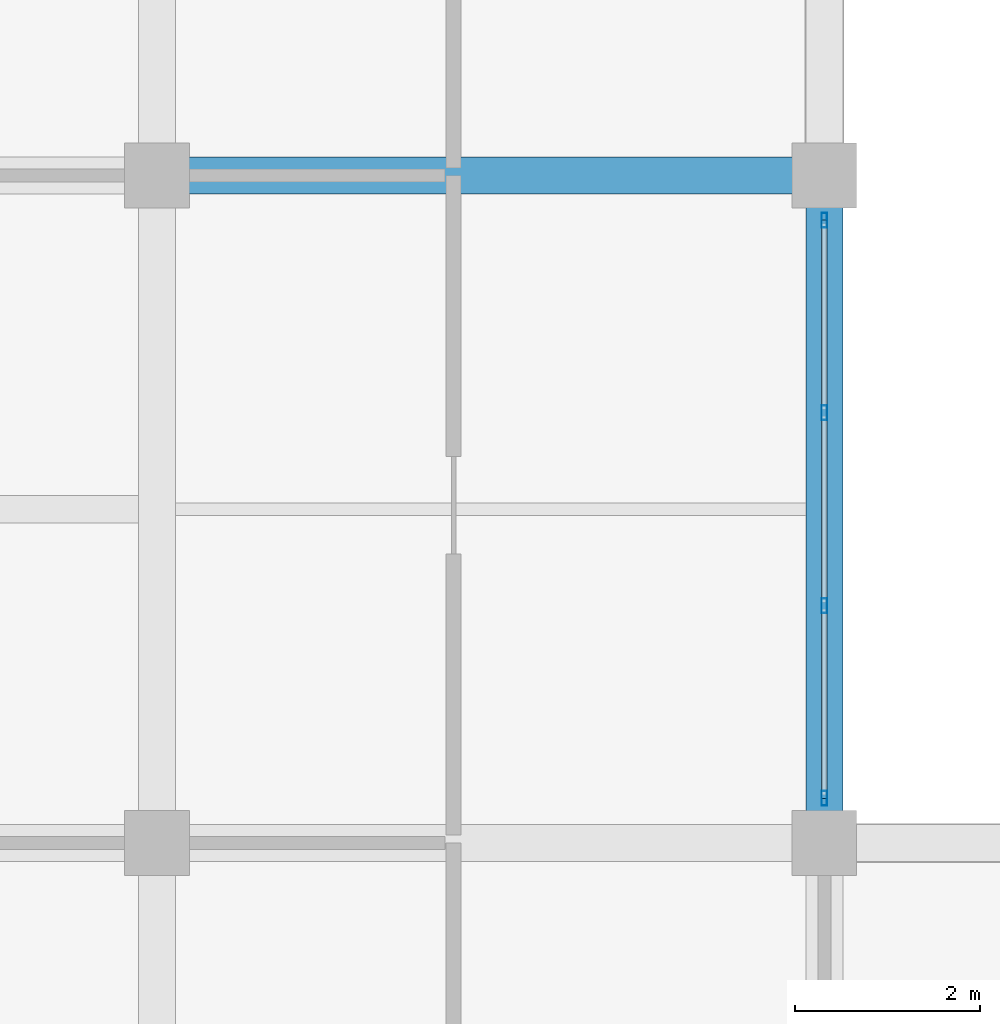
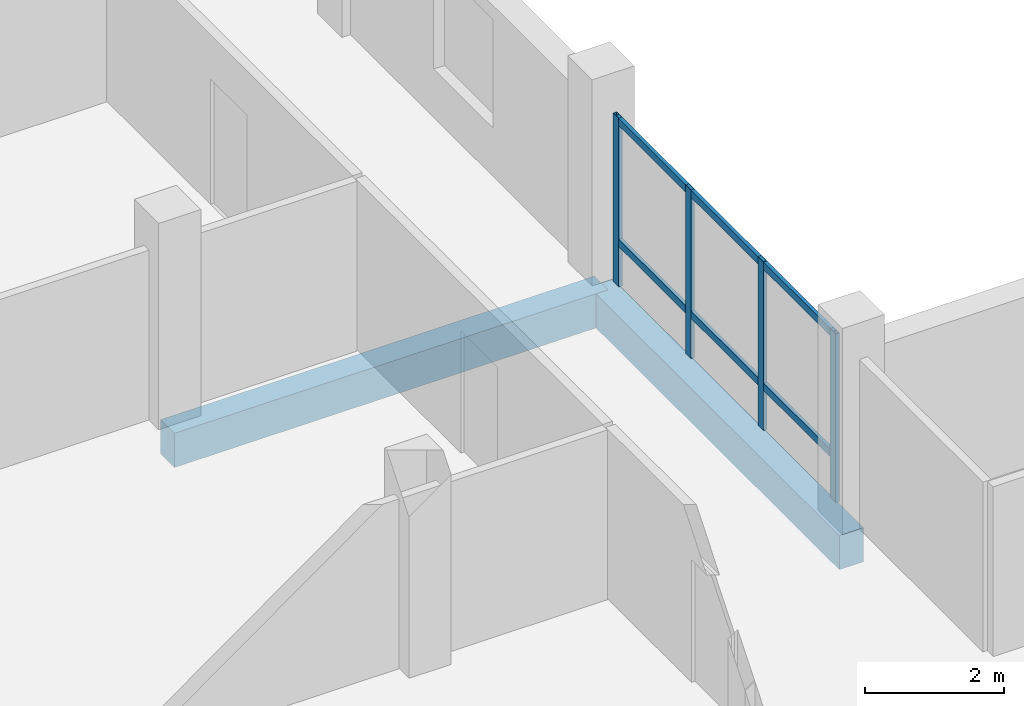
# One storey, part 11 of 128: 6 members, 2 beams, 1 element without a shape of its own.
"""IFC4 building model written with IfcOpenShell, lengths in metres."""

from ifc_helpers import new_model, si_unit, direction, frame, origin, origin_2d, place, context, subcontext, project, spatial, rectangle, hollow_rectangle, extrude, material, material_profile, profile_set, type_object, element, aggregate, save


model = new_model("IFC4")

# Units and contexts
model_context = context("Model", 3, precision=1e-05, world=origin(), true_north=direction((0.0, 1.0)))
body_context = subcontext(model_context, "Body", "Model", "MODEL_VIEW")
ifc_project = project(units=[si_unit("LENGTHUNIT", "METRE"), si_unit("AREAUNIT", "SQUARE_METRE"), si_unit("VOLUMEUNIT", "CUBIC_METRE"), si_unit("PLANEANGLEUNIT", "RADIAN"), si_unit("MASSUNIT", "GRAM", prefix="KILO")], contexts=[model_context])

# Site, building, storey
site_placement = place(None, origin())
site = spatial("IfcSite", under=ifc_project, at=site_placement, CompositionType="ELEMENT")
building_placement = place(site_placement, origin())
building = spatial("IfcBuilding", under=site, at=building_placement, Name="Zornivar Specialist Clinic", CompositionType="ELEMENT")
storey_placement = place(building_placement, frame((0.0, 0.0, 4.5)))
storey = spatial("IfcBuildingStorey", under=building, at=storey_placement, Name="L01", CompositionType="ELEMENT", Elevation=4.5)

# Beams
ifc_material_1 = material(Name="Concrete C30/37", Category="concrete")
ifc_material_profile_1 = material_profile(ifc_material_1, rectangle(XDim=0.39990234375, YDim=0.60009765625, at=origin_2d()), Name="RC 400x600")
ifc_profile_set_1 = profile_set([ifc_material_profile_1], Name="Concrete C30/37")
beam_type = type_object("IfcBeamType", Name="BM-RC-400x600", PredefinedType="BEAM", material=ifc_profile_set_1)
beam_1_placement = place(storey_placement, frame((7.199951171875, 21.60009765625, -0.580078125), z_axis=(1.0, 0.0, 0.0), x_axis=(0.0, 1.0, 0.0)))
element("IfcBeam", 1, at=beam_1_placement, inside=storey, type_object=beam_type, Name="bm:V2:L01:x:216:1", PredefinedType="BEAM", context=body_context, shape_type="SweptSolid", body=[
    extrude(rectangle(XDim=0.39990234375, YDim=0.60009765625, at=origin_2d()), origin(), (0.0, 0.0, 1.0), 7.199951171875),
])
beam_2_placement = place(storey_placement, frame((14.39990234375, 14.39990234375, -0.580078125), z_axis=(0.0, 1.0, 0.0), x_axis=(-1.0, 0.0, 0.0)))
element("IfcBeam", 2, at=beam_2_placement, inside=storey, type_object=beam_type, Name="bm:V2:L01:y:144:2", PredefinedType="BEAM", context=body_context, shape_type="SweptSolid", body=[
    extrude(rectangle(XDim=0.39990234375, YDim=0.60009765625, at=origin_2d()), origin(), (0.0, 0.0, 1.0), 7.2001953125),
])

# Curtain wall, members
ifc_material_2 = material(Name="Aluminium and Low-E Glass Curtain Wall", Category="aluminium")
curtain_wall_type = type_object("IfcCurtainWallType", Name="CW-REVAK-COURT", PredefinedType="NOTDEFINED", material=ifc_material_2)
curtain_wall_placement = place(storey_placement, origin())
curtain_wall = element("IfcCurtainWall", 3, at=curtain_wall_placement, inside=storey, type_object=curtain_wall_type, Name="cw:V2:L01:14", PredefinedType="NOTDEFINED")
ifc_material_3 = material(Name="Aluminium AW-6060", Category="aluminium")
ifc_material_profile_2 = material_profile(ifc_material_3, hollow_rectangle(XDim=0.06005859375, YDim=0.159912109375, WallThickness=0.00390625, at=origin_2d()), Name="ALU 60x160x4")
ifc_profile_set_2 = profile_set([ifc_material_profile_2], Name="Aluminium AW-6060")
member_type_1 = type_object("IfcMemberType", Name="CWM-MUL-160", PredefinedType="MULLION", material=ifc_profile_set_2)
member_1_placement = place(storey_placement, frame((14.39990234375, 14.8798828125, 0.0), z_axis=(0.0, 0.0, 1.0), x_axis=(1.0, 0.0, 0.0)))
member_1 = element("IfcMember", 4, at=member_1_placement, type_object=member_type_1, Name="cw:V2:L01:14:mul:0", PredefinedType="MULLION", context=body_context, shape_type="SweptSolid", body=[
    extrude(hollow_rectangle(XDim=0.06005859375, YDim=0.159912109375, WallThickness=0.00390625, at=origin_2d()), origin(), (0.0, 0.0, 1.0), 2.9599609375),
])
member_2_placement = place(storey_placement, frame((14.39990234375, 16.9599609375, 0.0), z_axis=(0.0, 0.0, 1.0), x_axis=(1.0, 0.0, 0.0)))
member_2 = element("IfcMember", 5, at=member_2_placement, type_object=member_type_1, Name="cw:V2:L01:14:mul:1", PredefinedType="MULLION", context=body_context, shape_type="SweptSolid", body=[
    extrude(hollow_rectangle(XDim=0.06005859375, YDim=0.159912109375, WallThickness=0.00390625, at=origin_2d()), origin(), (0.0, 0.0, 1.0), 2.9599609375),
])
member_3_placement = place(storey_placement, frame((14.39990234375, 19.0400390625, 0.0), z_axis=(0.0, 0.0, 1.0), x_axis=(1.0, 0.0, 0.0)))
member_3 = element("IfcMember", 6, at=member_3_placement, type_object=member_type_1, Name="cw:V2:L01:14:mul:2", PredefinedType="MULLION", context=body_context, shape_type="SweptSolid", body=[
    extrude(hollow_rectangle(XDim=0.06005859375, YDim=0.159912109375, WallThickness=0.00390625, at=origin_2d()), origin(), (0.0, 0.0, 1.0), 2.9599609375),
])
member_4_placement = place(storey_placement, frame((14.39990234375, 21.1201171875, 0.0), z_axis=(0.0, 0.0, 1.0), x_axis=(1.0, 0.0, 0.0)))
member_4 = element("IfcMember", 7, at=member_4_placement, type_object=member_type_1, Name="cw:V2:L01:14:mul:3", PredefinedType="MULLION", context=body_context, shape_type="SweptSolid", body=[
    extrude(hollow_rectangle(XDim=0.06005859375, YDim=0.159912109375, WallThickness=0.00390625, at=origin_2d()), origin(), (0.0, 0.0, 1.0), 2.9599609375),
])
ifc_material_4 = material(Name="Aluminium AW-6060", Category="aluminium")
ifc_material_profile_3 = material_profile(ifc_material_4, hollow_rectangle(XDim=0.06005859375, YDim=0.1298828125, WallThickness=0.00390625, at=origin_2d()), Name="ALU 60x130x4")
ifc_profile_set_3 = profile_set([ifc_material_profile_3], Name="Aluminium AW-6060")
member_type_2 = type_object("IfcMemberType", Name="CWM-TRN-130", PredefinedType="USERDEFINED", material=ifc_profile_set_3)
member_5_placement = place(storey_placement, frame((14.39990234375, 14.8798828125, 0.77001953125), z_axis=(0.0, 1.0, 0.0), x_axis=(-1.0, 0.0, 0.0)))
member_5 = element("IfcMember", 8, at=member_5_placement, type_object=member_type_2, Name="cw:V2:L01:14:trn:0", ObjectType="TRANSOM", PredefinedType="USERDEFINED", context=body_context, shape_type="SweptSolid", body=[
    extrude(hollow_rectangle(XDim=0.06005859375, YDim=0.1298828125, WallThickness=0.00390625, at=origin_2d()), origin(), (0.0, 0.0, 1.0), 6.240234375),
])
member_6_placement = place(storey_placement, frame((14.39990234375, 14.8798828125, 2.89501953125), z_axis=(0.0, 1.0, 0.0), x_axis=(-1.0, 0.0, 0.0)))
member_6 = element("IfcMember", 9, at=member_6_placement, type_object=member_type_2, Name="cw:V2:L01:14:trn:1", ObjectType="TRANSOM", PredefinedType="USERDEFINED", context=body_context, shape_type="SweptSolid", body=[
    extrude(hollow_rectangle(XDim=0.06005859375, YDim=0.1298828125, WallThickness=0.00390625, at=origin_2d()), origin(), (0.0, 0.0, 1.0), 6.240234375),
])
aggregate(curtain_wall, [member_1, member_2, member_3, member_4, member_5, member_6])

save(model, "model.ifc")
